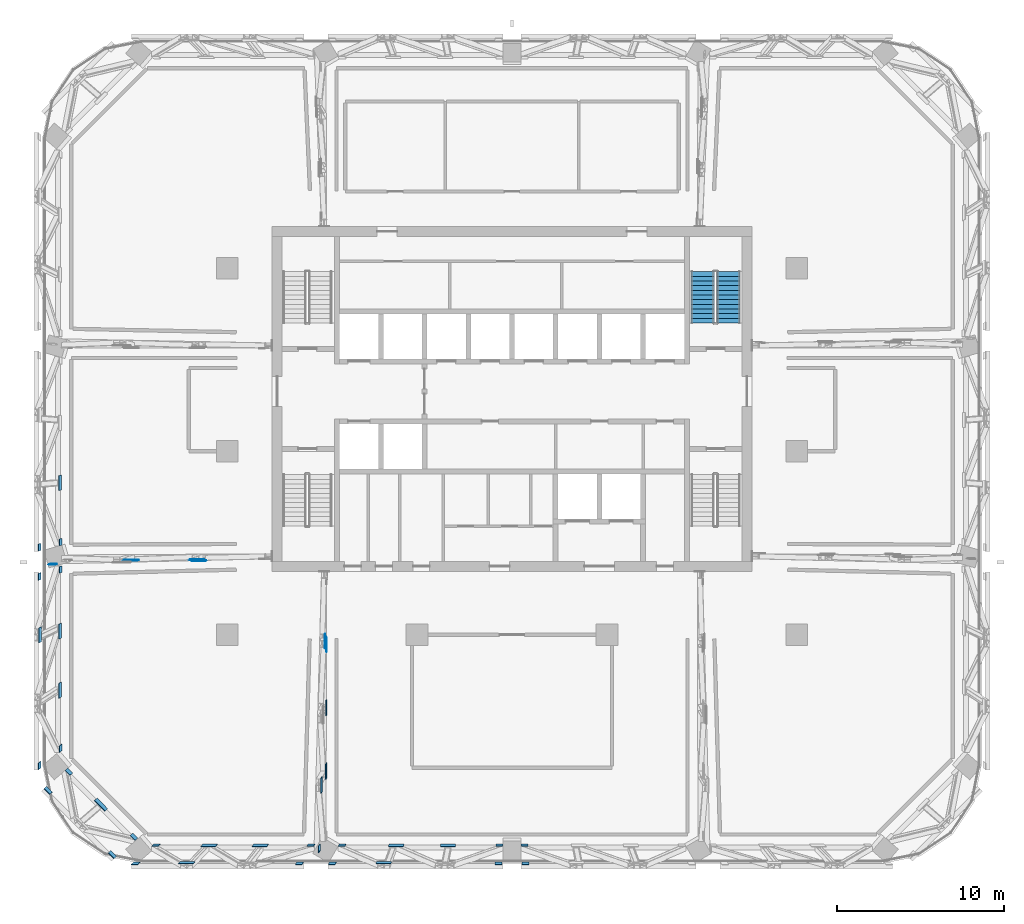
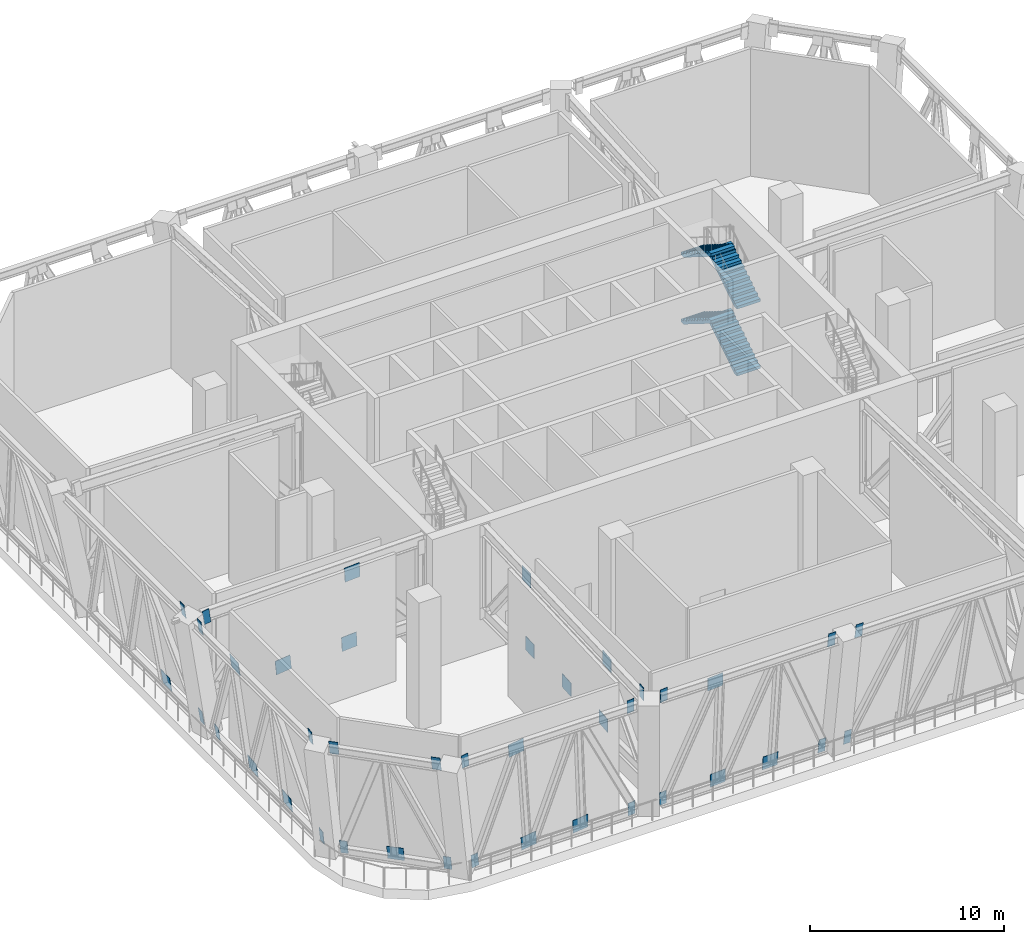
# One storey, part 9 of 24: 41 discrete accessories, 4 stair flights, 1 element without a shape of its own.
"""IFC4 building model written with IfcOpenShell, lengths in metres."""

from ifc_helpers import new_model, si_unit, direction, frame, origin, origin_2d, place, context, subcontext, project, spatial, polyline, rectangle, outline, extrude, material, layer, layer_set, type_object, element, aggregate, save


model = new_model("IFC4")

# Units and contexts
model_context = context("Model", 3, precision=1e-05, world=origin(), true_north=direction((0.0, 1.0)))
body_context = subcontext(model_context, "Body", "Model", "MODEL_VIEW")
ifc_project = project(units=[si_unit("LENGTHUNIT", "METRE"), si_unit("AREAUNIT", "SQUARE_METRE"), si_unit("VOLUMEUNIT", "CUBIC_METRE"), si_unit("PLANEANGLEUNIT", "RADIAN"), si_unit("MASSUNIT", "GRAM", prefix="KILO")], contexts=[model_context])

# Site, building, storey
site_placement = place(None, origin())
site = spatial("IfcSite", under=ifc_project, at=site_placement, CompositionType="ELEMENT")
building_placement = place(site_placement, origin())
building = spatial("IfcBuilding", under=site, at=building_placement, Name="Mopane Tessera Tower", CompositionType="ELEMENT")
storey_placement = place(building_placement, frame((0.0, 0.0, 259.0)))
storey = spatial("IfcBuildingStorey", under=building, at=storey_placement, Name="L56", CompositionType="ELEMENT", Elevation=259.0)

# Stair, stair flights
ifc_material_1 = material(Name="Concrete C50/60", Category="concrete")
stair_type = type_object("IfcStairType", Name="Escape stair 1400 mm, riser 175 mm", PredefinedType="HALF_TURN_STAIR", material=ifc_material_1)
stair_placement = place(storey_placement, origin())
stair = element("IfcStair", 1, at=stair_placement, inside=storey, type_object=stair_type, Name="L56 Escape stair north-east", PredefinedType="HALF_TURN_STAIR")
ifc_material_2 = material(Name="Concrete C50/60", Category="concrete")
stair_flight_type = type_object("IfcStairFlightType", Name="Escape stair flight 1400 mm", PredefinedType="STRAIGHT", material=ifc_material_2)
stair_flight_1_placement = place(storey_placement, frame((13.0, 7.699951171875, 0.0), z_axis=(0.0, 0.0, 1.0), x_axis=(0.0, 1.0, 0.0)))
stair_flight_1 = element("IfcStairFlight", 2, at=stair_flight_1_placement, type_object=stair_flight_type, Name="ST4 flight 1", NumberOfRisers=12, NumberOfTreads=11, PredefinedType="STRAIGHT", RiserHeight=0.175, TreadLength=0.28, context=body_context, shape_type="SweptSolid", body=[
    extrude(outline(polyline([(0.0, 0.0), (0.0, 0.175048828125), (0.280029296875, 0.175048828125), (0.280029296875, 0.35009765625), (0.56005859375, 0.35009765625), (0.56005859375, 0.52490234375), (0.840087890625, 0.52490234375), (0.840087890625, 0.699951171875), (1.1201171875, 0.699951171875), (1.1201171875, 0.875), (1.39990234375, 0.875), (1.39990234375, 1.050048828125), (1.679931640625, 1.050048828125), (1.679931640625, 1.22509765625), (1.9599609375, 1.22509765625), (1.9599609375, 1.39990234375), (2.239990234375, 1.39990234375), (2.239990234375, 1.574951171875), (2.52001953125, 1.574951171875), (2.52001953125, 1.75), (2.800048828125, 1.75), (2.800048828125, 1.925048828125), (3.080078125, 1.925048828125), (3.080078125, 2.10009765625), (3.080078125, 1.748291015625), (0.28271484375, 0.0), (0.0, 0.0)])), frame((0.0, 0.699951171875, 0.0), z_axis=(0.0, -1.0, 0.0), x_axis=(1.0, 0.0, 0.0)), (0.0, 0.0, 1.0), 1.39990234375),
])
stair_flight_2_placement = place(storey_placement, frame((11.449951171875, 10.780029296875, 2.10009765625), z_axis=(0.0, 0.0, 1.0), x_axis=(0.0, -1.0, 0.0)))
stair_flight_2 = element("IfcStairFlight", 3, at=stair_flight_2_placement, type_object=stair_flight_type, Name="ST4 flight 2", NumberOfRisers=12, NumberOfTreads=11, PredefinedType="STRAIGHT", RiserHeight=0.175, TreadLength=0.28, context=body_context, shape_type="SweptSolid", body=[
    extrude(outline(polyline([(0.0, 0.0), (0.0, 0.175048828125), (0.280029296875, 0.175048828125), (0.280029296875, 0.35009765625), (0.56005859375, 0.35009765625), (0.56005859375, 0.52490234375), (0.840087890625, 0.52490234375), (0.840087890625, 0.699951171875), (1.1201171875, 0.699951171875), (1.1201171875, 0.875), (1.39990234375, 0.875), (1.39990234375, 1.050048828125), (1.679931640625, 1.050048828125), (1.679931640625, 1.22509765625), (1.9599609375, 1.22509765625), (1.9599609375, 1.39990234375), (2.239990234375, 1.39990234375), (2.239990234375, 1.574951171875), (2.52001953125, 1.574951171875), (2.52001953125, 1.75), (2.800048828125, 1.75), (2.800048828125, 1.925048828125), (3.080078125, 1.925048828125), (3.080078125, 2.10009765625), (3.080078125, 1.748291015625), (0.28271484375, 0.0), (0.0, 0.0)])), frame((0.0, 0.699951171875, 0.0), z_axis=(0.0, -1.0, 0.0), x_axis=(1.0, 0.0, 0.0)), (0.0, 0.0, 1.0), 1.39990234375),
])
stair_flight_3_placement = place(storey_placement, frame((13.0, 7.699951171875, 4.199951171875), z_axis=(0.0, 0.0, 1.0), x_axis=(0.0, 1.0, 0.0)))
stair_flight_3 = element("IfcStairFlight", 4, at=stair_flight_3_placement, type_object=stair_flight_type, Name="ST4 flight 3", NumberOfRisers=12, NumberOfTreads=11, PredefinedType="STRAIGHT", RiserHeight=0.175, TreadLength=0.28, context=body_context, shape_type="SweptSolid", body=[
    extrude(outline(polyline([(0.0, 0.0), (0.0, 0.175048828125), (0.280029296875, 0.175048828125), (0.280029296875, 0.35009765625), (0.56005859375, 0.35009765625), (0.56005859375, 0.52490234375), (0.840087890625, 0.52490234375), (0.840087890625, 0.699951171875), (1.1201171875, 0.699951171875), (1.1201171875, 0.875), (1.39990234375, 0.875), (1.39990234375, 1.050048828125), (1.679931640625, 1.050048828125), (1.679931640625, 1.22509765625), (1.9599609375, 1.22509765625), (1.9599609375, 1.39990234375), (2.239990234375, 1.39990234375), (2.239990234375, 1.574951171875), (2.52001953125, 1.574951171875), (2.52001953125, 1.75), (2.800048828125, 1.75), (2.800048828125, 1.925048828125), (3.080078125, 1.925048828125), (3.080078125, 2.10009765625), (3.080078125, 1.748291015625), (0.28271484375, 0.0), (0.0, 0.0)])), frame((0.0, 0.699951171875, 0.0), z_axis=(0.0, -1.0, 0.0), x_axis=(1.0, 0.0, 0.0)), (0.0, 0.0, 1.0), 1.39990234375),
])
stair_flight_4_placement = place(storey_placement, frame((11.449951171875, 10.780029296875, 6.300048828125), z_axis=(0.0, 0.0, 1.0), x_axis=(0.0, -1.0, 0.0)))
stair_flight_4 = element("IfcStairFlight", 5, at=stair_flight_4_placement, type_object=stair_flight_type, Name="ST4 flight 4", NumberOfRisers=12, NumberOfTreads=11, PredefinedType="STRAIGHT", RiserHeight=0.175, TreadLength=0.28, context=body_context, shape_type="SweptSolid", body=[
    extrude(outline(polyline([(0.0, 0.0), (0.0, 0.175048828125), (0.280029296875, 0.175048828125), (0.280029296875, 0.35009765625), (0.56005859375, 0.35009765625), (0.56005859375, 0.52490234375), (0.840087890625, 0.52490234375), (0.840087890625, 0.699951171875), (1.1201171875, 0.699951171875), (1.1201171875, 0.875), (1.39990234375, 0.875), (1.39990234375, 1.050048828125), (1.679931640625, 1.050048828125), (1.679931640625, 1.22509765625), (1.9599609375, 1.22509765625), (1.9599609375, 1.39990234375), (2.239990234375, 1.39990234375), (2.239990234375, 1.574951171875), (2.52001953125, 1.574951171875), (2.52001953125, 1.75), (2.800048828125, 1.75), (2.800048828125, 1.925048828125), (3.080078125, 1.925048828125), (3.080078125, 2.10009765625), (3.080078125, 1.748291015625), (0.28271484375, 0.0), (0.0, 0.0)])), frame((0.0, 0.699951171875, 0.0), z_axis=(0.0, -1.0, 0.0), x_axis=(1.0, 0.0, 0.0)), (0.0, 0.0, 1.0), 1.39990234375),
])
aggregate(stair, [stair_flight_1, stair_flight_2, stair_flight_3, stair_flight_4])

# Discrete accessories
ifc_material_3 = material(Name="Structural steel S460", Category="steel")
ifc_layer = layer(ifc_material_3, 0.030029296875)
ifc_layer_set = layer_set([ifc_layer], Name="Structural steel S460")
discrete_accessory_type = type_object("IfcDiscreteAccessoryType", Name="Truss node plate 30 mm", PredefinedType="BRACKET", material=ifc_layer_set)
discrete_accessory_1_placement = place(storey_placement, frame((-18.7685546875, -6.556396484375, 6.77197265625), z_axis=(-0.053903128834, -0.015439589666, 0.998426798405), x_axis=(0.005345903873, -0.999870587746, -0.015173301311)))
element("IfcDiscreteAccessory", 6, at=discrete_accessory_1_placement, inside=storey, type_object=discrete_accessory_type, Name="Truss node plate s ot L56 W2 2", PredefinedType="BRACKET", context=body_context, shape_type="SweptSolid", body=[
    extrude(rectangle(XDim=0.030029296875, YDim=0.89990234375, at=origin_2d()), origin(), (0.0, 0.0, 1.0), 0.9013671875),
])
discrete_accessory_2_placement = place(storey_placement, frame((-18.904296875, -6.490966796875, 2.427978515625), z_axis=(-0.058745219946, -0.017055063855, 0.998127308478), x_axis=(0.009091488383, -0.999821722938, -0.01654893289)))
element("IfcDiscreteAccessory", 7, at=discrete_accessory_2_placement, inside=storey, type_object=discrete_accessory_type, Name="Truss node plate s ot L56 W2 3", PredefinedType="BRACKET", context=body_context, shape_type="SweptSolid", body=[
    extrude(rectangle(XDim=0.030029296875, YDim=0.89990234375, at=origin_2d()), origin(), (0.0, 0.0, 1.0), 0.90185546875),
])
discrete_accessory_3_placement = place(storey_placement, frame((-22.817138671875, -6.510009765625, 2.365966796875), z_axis=(-0.109401533932, -0.031257581123, 0.993506048293), x_axis=(0.007237495028, -0.999503995934, -0.030649319378)))
element("IfcDiscreteAccessory", 8, at=discrete_accessory_3_placement, inside=storey, type_object=discrete_accessory_type, Name="Truss node plate s ot L56 W2 5", PredefinedType="BRACKET", context=body_context, shape_type="SweptSolid", body=[
    extrude(rectangle(XDim=0.030029296875, YDim=0.89990234375, at=origin_2d()), origin(), (0.0, 0.0, 1.0), 0.906005859375),
])
discrete_accessory_4_placement = place(storey_placement, frame((-27.49267578125, -6.753173828125, 7.19189453125), z_axis=(-0.158891103966, -0.045473884973, 0.986248317041), x_axis=(0.011431111856, -0.99895649554, -0.044218205533)))
element("IfcDiscreteAccessory", 9, at=discrete_accessory_4_placement, inside=storey, type_object=discrete_accessory_type, Name="Truss node plate s ot L56 W2 8", PredefinedType="BRACKET", context=body_context, shape_type="SweptSolid", body=[
    extrude(rectangle(XDim=0.030029296875, YDim=0.39599609375, at=origin_2d()), origin(), (0.0, 0.0, 1.0), 0.91259765625),
])
discrete_accessory_5_placement = place(storey_placement, frame((-11.209716796875, -11.354248046875, 6.7744140625), z_axis=(-0.020330414147, -0.035239384522, 0.9991720873), x_axis=(0.999793239196, -0.000325439074, 0.020331575111)))
element("IfcDiscreteAccessory", 10, at=discrete_accessory_5_placement, inside=storey, type_object=discrete_accessory_type, Name="Truss node plate s ot L56 S1 2", PredefinedType="BRACKET", context=body_context, shape_type="SweptSolid", body=[
    extrude(rectangle(XDim=0.030029296875, YDim=0.89990234375, at=origin_2d()), origin(), (0.0, 0.0, 1.0), 0.900634765625),
])
discrete_accessory_6_placement = place(storey_placement, frame((-11.12158203125, -11.57568359375, 2.42578125), z_axis=(-0.022224357258, -0.03848608208, 0.999011961605), x_axis=(0.99975300835, -0.000871032846, 0.022207287038)))
element("IfcDiscreteAccessory", 11, at=discrete_accessory_6_placement, inside=storey, type_object=discrete_accessory_type, Name="Truss node plate s ot L56 S1 3", PredefinedType="BRACKET", context=body_context, shape_type="SweptSolid", body=[
    extrude(rectangle(XDim=0.030029296875, YDim=0.89990234375, at=origin_2d()), origin(), (0.0, 0.0, 1.0), 0.90087890625),
])
discrete_accessory_7_placement = place(storey_placement, frame((-11.12548828125, -15.357666015625, 2.365966796875), z_axis=(-0.041355771127, -0.071358977631, 0.996592994409), x_axis=(0.999143235926, -0.004530278992, 0.041137217641)))
element("IfcDiscreteAccessory", 12, at=discrete_accessory_7_placement, inside=storey, type_object=discrete_accessory_type, Name="Truss node plate s ot L56 S1 5", PredefinedType="BRACKET", context=body_context, shape_type="SweptSolid", body=[
    extrude(rectangle(XDim=0.030029296875, YDim=0.89990234375, at=origin_2d()), origin(), (0.0, 0.0, 1.0), 0.9033203125),
])
discrete_accessory_8_placement = place(storey_placement, frame((-11.13427734375, -19.148193359375, 2.42578125), z_axis=(-0.060328198947, -0.104227736574, 0.992722059461), x_axis=(0.998178063766, -0.007325836499, 0.059890609755)))
element("IfcDiscreteAccessory", 13, at=discrete_accessory_8_placement, inside=storey, type_object=discrete_accessory_type, Name="Truss node plate s ot L56 S1 7", PredefinedType="BRACKET", context=body_context, shape_type="SweptSolid", body=[
    extrude(rectangle(XDim=0.030029296875, YDim=0.89990234375, at=origin_2d()), origin(), (0.0, 0.0, 1.0), 0.906494140625),
])
discrete_accessory_9_placement = place(storey_placement, frame((-11.407958984375, -19.990478515625, 6.770751953125), z_axis=(-0.062451350299, -0.107674741895, 0.992222746566), x_axis=(0.998046209014, -0.008625852155, 0.061881817588)))
element("IfcDiscreteAccessory", 14, at=discrete_accessory_9_placement, inside=storey, type_object=discrete_accessory_type, Name="Truss node plate s ot L56 S1 8", PredefinedType="BRACKET", context=body_context, shape_type="SweptSolid", body=[
    extrude(rectangle(XDim=0.030029296875, YDim=0.89990234375, at=origin_2d()), origin(), (0.0, 0.0, 1.0), 0.906982421875),
])
discrete_accessory_10_placement = place(storey_placement, frame((-11.527587890625, -23.77197265625, 7.19189453125), z_axis=(-0.080055266263, -0.138155576562, 0.987169788339), x_axis=(0.99678930426, -0.01258176103, 0.079074535742)))
element("IfcDiscreteAccessory", 15, at=discrete_accessory_10_placement, inside=storey, type_object=discrete_accessory_type, Name="Truss node plate s ot L56 S1 10", PredefinedType="BRACKET", context=body_context, shape_type="SweptSolid", body=[
    extrude(rectangle(XDim=0.030029296875, YDim=0.39794921875, at=origin_2d()), origin(), (0.0, 0.0, 1.0), 0.911865234375),
])
discrete_accessory_11_placement = place(storey_placement, frame((-21.29345703125, -23.576171875, -0.0390625), z_axis=(-0.161793614852, -0.145375932166, 0.976057715783), x_axis=(-0.023752512285, 0.989376489465, 0.143422384078)))
element("IfcDiscreteAccessory", 16, at=discrete_accessory_11_placement, inside=storey, type_object=discrete_accessory_type, Name="Truss node plate s bt L56 S0-S1 0", PredefinedType="BRACKET", context=body_context, shape_type="SweptSolid", body=[
    extrude(rectangle(XDim=0.030029296875, YDim=0.411376953125, at=origin_2d()), origin(), (0.0, 0.0, 1.0), 0.921875),
])
discrete_accessory_12_placement = place(storey_placement, frame((-22.505615234375, -24.66650390625, 7.2880859375), z_axis=(-0.161535728705, -0.145382155834, 0.976099501648), x_axis=(-0.024504563502, 0.989375275434, 0.143304189495)))
element("IfcDiscreteAccessory", 17, at=discrete_accessory_12_placement, inside=storey, type_object=discrete_accessory_type, Name="Truss node plate s bt L56 S0-S1 1", PredefinedType="BRACKET", context=body_context, shape_type="SweptSolid", body=[
    extrude(rectangle(XDim=0.030029296875, YDim=0.414306640625, at=origin_2d()), origin(), (0.0, 0.0, 1.0), 0.921875),
])
discrete_accessory_13_placement = place(storey_placement, frame((-19.462158203125, -24.625, 7.008056640625), z_axis=(-0.140510154507, -0.145556833024, 0.979321247008), x_axis=(-0.020170533207, 0.989349764632, 0.144153365596)))
element("IfcDiscreteAccessory", 18, at=discrete_accessory_13_placement, inside=storey, type_object=discrete_accessory_type, Name="Truss node plate s bt L56 S0-S1 2", PredefinedType="BRACKET", context=body_context, shape_type="SweptSolid", body=[
    extrude(rectangle(XDim=0.030029296875, YDim=0.89990234375, at=origin_2d()), origin(), (0.0, 0.0, 1.0), 0.919189453125),
])
discrete_accessory_14_placement = place(storey_placement, frame((-18.116943359375, -23.59521484375, 0.08935546875), z_axis=(-0.137899658981, -0.145870737534, 0.979645554261), x_axis=(-0.020626432671, 0.98930361467, 0.14440536097)))
element("IfcDiscreteAccessory", 19, at=discrete_accessory_14_placement, inside=storey, type_object=discrete_accessory_type, Name="Truss node plate s bt L56 S0-S1 3", PredefinedType="BRACKET", context=body_context, shape_type="SweptSolid", body=[
    extrude(rectangle(XDim=0.030029296875, YDim=0.89990234375, at=origin_2d()), origin(), (0.0, 0.0, 1.0), 0.9189453125),
])
discrete_accessory_15_placement = place(storey_placement, frame((-15.060546875, -23.593017578125, 0.073974609375), z_axis=(-0.114857272976, -0.146303115693, 0.982549339821), x_axis=(-0.017810317666, 0.989239468241, 0.145217309778)))
element("IfcDiscreteAccessory", 20, at=discrete_accessory_15_placement, inside=storey, type_object=discrete_accessory_type, Name="Truss node plate s bt L56 S0-S1 5", PredefinedType="BRACKET", context=body_context, shape_type="SweptSolid", body=[
    extrude(rectangle(XDim=0.030029296875, YDim=0.89990234375, at=origin_2d()), origin(), (0.0, 0.0, 1.0), 0.916015625),
])
discrete_accessory_16_placement = place(storey_placement, frame((-12.029052734375, -23.576171875, -0.0390625), z_axis=(-0.092182013426, -0.146689638756, 0.984877975326), x_axis=(-0.013810784404, 0.989182556621, 0.146038118005)))
element("IfcDiscreteAccessory", 21, at=discrete_accessory_16_placement, inside=storey, type_object=discrete_accessory_type, Name="Truss node plate s bt L56 S0-S1 7", PredefinedType="BRACKET", context=body_context, shape_type="SweptSolid", body=[
    extrude(rectangle(XDim=0.030029296875, YDim=0.411376953125, at=origin_2d()), origin(), (0.0, 0.0, 1.0), 0.913818359375),
])
discrete_accessory_17_placement = place(storey_placement, frame((-12.714111328125, -24.66650390625, 7.2880859375), z_axis=(-0.092182013426, -0.146689638756, 0.984877975326), x_axis=(-0.013796013691, 0.989182558587, 0.146039500798)))
element("IfcDiscreteAccessory", 22, at=discrete_accessory_17_placement, inside=storey, type_object=discrete_accessory_type, Name="Truss node plate s bt L56 S0-S1 8", PredefinedType="BRACKET", context=body_context, shape_type="SweptSolid", body=[
    extrude(rectangle(XDim=0.030029296875, YDim=0.41064453125, at=origin_2d()), origin(), (0.0, 0.0, 1.0), 0.913818359375),
])
discrete_accessory_18_placement = place(storey_placement, frame((-10.164794921875, -23.576171875, -0.03857421875), z_axis=(-0.077828491184, -0.146831070997, 0.986095006858), x_axis=(-0.012428709749, 0.989161200879, 0.146306684227)))
element("IfcDiscreteAccessory", 23, at=discrete_accessory_18_placement, inside=storey, type_object=discrete_accessory_type, Name="Truss node plate s bt L56 S1-S2 0", PredefinedType="BRACKET", context=body_context, shape_type="SweptSolid", body=[
    extrude(rectangle(XDim=0.030029296875, YDim=0.41064453125, at=origin_2d()), origin(), (0.0, 0.0, 1.0), 0.912841796875),
])
discrete_accessory_19_placement = place(storey_placement, frame((-10.743896484375, -24.66650390625, 7.2880859375), z_axis=(-0.077849022459, -0.146869805258, 0.986087617814), x_axis=(-0.012433026507, 0.989155452002, 0.146345179717)))
element("IfcDiscreteAccessory", 24, at=discrete_accessory_19_placement, inside=storey, type_object=discrete_accessory_type, Name="Truss node plate s bt L56 S1-S2 1", PredefinedType="BRACKET", context=body_context, shape_type="SweptSolid", body=[
    extrude(rectangle(XDim=0.030029296875, YDim=0.41064453125, at=origin_2d()), origin(), (0.0, 0.0, 1.0), 0.91259765625),
])
for number, where, z_axis, x_axis, name in (
    (25, (-7.672607421875, -24.624755859375, 7.007568359375), (-0.05572731523, -0.147087961833, 0.987552326624), (-0.009381778616, 0.989122821, 0.146792463043), "Truss node plate s bt L56 S1-S2 2"),
    (26, (-6.9296875, -23.595458984375, 0.090087890625), (-0.05332514795, -0.146845131038, 0.987721082131), (-0.006697715269, 0.989158758849, 0.146697274691), "Truss node plate s bt L56 S1-S2 3"),
):
    element("IfcDiscreteAccessory", number, at=place(storey_placement, frame(where, z_axis=z_axis, x_axis=x_axis)), inside=storey, type_object=discrete_accessory_type, Name=name, PredefinedType="BRACKET", context=body_context, shape_type="SweptSolid", body=[
        extrude(rectangle(XDim=0.030029296875, YDim=0.89990234375, at=origin_2d()), origin(), (0.0, 0.0, 1.0), 0.9111328125),
    ])
discrete_accessory_20_placement = place(storey_placement, frame((-3.826904296875, -23.593017578125, 0.073974609375), z_axis=(-0.029496373184, -0.147213717072, 0.988664799351), x_axis=(-0.003850804856, 0.989104563085, 0.147164311527)))
element("IfcDiscreteAccessory", 27, at=discrete_accessory_20_placement, inside=storey, type_object=discrete_accessory_type, Name="Truss node plate s bt L56 S1-S2 5", PredefinedType="BRACKET", context=body_context, shape_type="SweptSolid", body=[
    extrude(rectangle(XDim=0.030029296875, YDim=0.89990234375, at=origin_2d()), origin(), (0.0, 0.0, 1.0), 0.910400390625),
])
discrete_accessory_21_placement = place(storey_placement, frame((-0.758056640625, -23.576171875, -0.03857421875), z_axis=(-0.00590173982, -0.147275234605, 0.989077941691), x_axis=(-0.000415580472, 0.989095443009, 0.147275360847)))
element("IfcDiscreteAccessory", 28, at=discrete_accessory_21_placement, inside=storey, type_object=discrete_accessory_type, Name="Truss node plate s bt L56 S1-S2 7", PredefinedType="BRACKET", context=body_context, shape_type="SweptSolid", body=[
    extrude(rectangle(XDim=0.030029296875, YDim=0.41064453125, at=origin_2d()), origin(), (0.0, 0.0, 1.0), 0.91015625),
])
discrete_accessory_22_placement = place(storey_placement, frame((-0.811279296875, -24.66650390625, 7.2880859375), z_axis=(-0.005903306145, -0.147314321537, 0.989072111449), x_axis=(-0.000917377596, 0.989089727601, 0.147311469926)))
element("IfcDiscreteAccessory", 29, at=discrete_accessory_22_placement, inside=storey, type_object=discrete_accessory_type, Name="Truss node plate s bt L56 S1-S2 8", PredefinedType="BRACKET", context=body_context, shape_type="SweptSolid", body=[
    extrude(rectangle(XDim=0.030029296875, YDim=0.4296875, at=origin_2d()), origin(), (0.0, 0.0, 1.0), 0.909912109375),
])
discrete_accessory_23_placement = place(storey_placement, frame((0.758056640625, -23.576171875, -0.03857421875), z_axis=(0.00590173982, -0.147275234605, 0.989077941691), x_axis=(0.000415580472, 0.989095443009, 0.147275360847)))
element("IfcDiscreteAccessory", 30, at=discrete_accessory_23_placement, inside=storey, type_object=discrete_accessory_type, Name="Truss node plate s bt L56 S2-S3 0", PredefinedType="BRACKET", context=body_context, shape_type="SweptSolid", body=[
    extrude(rectangle(XDim=0.030029296875, YDim=0.41064453125, at=origin_2d()), origin(), (0.0, 0.0, 1.0), 0.91015625),
])
discrete_accessory_24_placement = place(storey_placement, frame((0.811279296875, -24.66650390625, 7.2880859375), z_axis=(0.005903306145, -0.147314321537, 0.989072111449), x_axis=(0.000917377596, 0.989089727601, 0.147311469926)))
element("IfcDiscreteAccessory", 31, at=discrete_accessory_24_placement, inside=storey, type_object=discrete_accessory_type, Name="Truss node plate s bt L56 S2-S3 1", PredefinedType="BRACKET", context=body_context, shape_type="SweptSolid", body=[
    extrude(rectangle(XDim=0.030029296875, YDim=0.4296875, at=origin_2d()), origin(), (0.0, 0.0, 1.0), 0.909912109375),
])
discrete_accessory_25_placement = place(storey_placement, frame((-27.044677734375, -1.879638671875, 0.073974609375), z_axis=(-0.17022861401, -0.014697918007, 0.985294976227), x_axis=(0.985404595621, -0.002583316382, 0.170209016818)))
element("IfcDiscreteAccessory", 32, at=discrete_accessory_25_placement, inside=storey, type_object=discrete_accessory_type, Name="Truss node plate s bt L56 W1-W2 5", PredefinedType="BRACKET", context=body_context, shape_type="SweptSolid", body=[
    extrude(rectangle(XDim=0.030029296875, YDim=0.89990234375, at=origin_2d()), origin(), (0.0, 0.0, 1.0), 0.91357421875),
])
discrete_accessory_26_placement = place(storey_placement, frame((-27.0263671875, -5.427978515625, -0.032470703125), z_axis=(-0.169836098906, -0.042191986835, 0.984568705452), x_axis=(0.985471612564, -0.008471055725, 0.169628836123)))
element("IfcDiscreteAccessory", 33, at=discrete_accessory_26_placement, inside=storey, type_object=discrete_accessory_type, Name="Truss node plate s bt L56 W1-W2 7", PredefinedType="BRACKET", context=body_context, shape_type="SweptSolid", body=[
    extrude(rectangle(XDim=0.030029296875, YDim=0.403564453125, at=origin_2d()), origin(), (0.0, 0.0, 1.0), 0.914306640625),
])
discrete_accessory_27_placement = place(storey_placement, frame((-28.2900390625, -5.734130859375, 7.2880859375), z_axis=(-0.169880763287, -0.042203082703, 0.984560524333), x_axis=(0.985464300843, -0.008085043526, 0.169690140656)))
element("IfcDiscreteAccessory", 34, at=discrete_accessory_27_placement, inside=storey, type_object=discrete_accessory_type, Name="Truss node plate s bt L56 W1-W2 8", PredefinedType="BRACKET", context=body_context, shape_type="SweptSolid", body=[
    extrude(rectangle(XDim=0.030029296875, YDim=0.421142578125, at=origin_2d()), origin(), (0.0, 0.0, 1.0), 0.9140625),
])
discrete_accessory_28_placement = place(storey_placement, frame((-27.0263671875, -7.0693359375, -0.032958984375), z_axis=(-0.169772479873, -0.055256137317, 0.983932957252), x_axis=(0.985483249125, -0.009249633359, 0.169520529663)))
element("IfcDiscreteAccessory", 35, at=discrete_accessory_28_placement, inside=storey, type_object=discrete_accessory_type, Name="Truss node plate s bt L56 W2-W3 0", PredefinedType="BRACKET", context=body_context, shape_type="SweptSolid", body=[
    extrude(rectangle(XDim=0.030029296875, YDim=0.404296875, at=origin_2d()), origin(), (0.0, 0.0, 1.0), 0.91455078125),
])
discrete_accessory_29_placement = place(storey_placement, frame((-28.2900390625, -7.4892578125, 7.2880859375), z_axis=(-0.169772479873, -0.055256137317, 0.983932957252), x_axis=(0.985483281372, -0.009605207843, 0.16950056672)))
element("IfcDiscreteAccessory", 36, at=discrete_accessory_29_placement, inside=storey, type_object=discrete_accessory_type, Name="Truss node plate s bt L56 W2-W3 1", PredefinedType="BRACKET", context=body_context, shape_type="SweptSolid", body=[
    extrude(rectangle(XDim=0.030029296875, YDim=0.421142578125, at=origin_2d()), origin(), (0.0, 0.0, 1.0), 0.91455078125),
])
for number, where, z_axis, x_axis, name in (
    (37, (-28.240478515625, -10.973876953125, 7.001953125), (-0.169687848053, -0.080981327799, 0.982164985515), (0.985497655568, -0.014587410262, 0.169060871678), "Truss node plate s bt L56 W2-W3 2"),
    (38, (-27.048583984375, -10.7490234375, 0.095703125), (-0.169432505758, -0.083917042946, 0.981962604123), (0.985541158588, -0.013296209869, 0.168913692554), "Truss node plate s bt L56 W2-W3 3"),
):
    element("IfcDiscreteAccessory", number, at=place(storey_placement, frame(where, z_axis=z_axis, x_axis=x_axis)), inside=storey, type_object=discrete_accessory_type, Name=name, PredefinedType="BRACKET", context=body_context, shape_type="SweptSolid", body=[
        extrude(rectangle(XDim=0.030029296875, YDim=0.89990234375, at=origin_2d()), origin(), (0.0, 0.0, 1.0), 0.91650390625),
    ])
discrete_accessory_30_placement = place(storey_placement, frame((-27.044677734375, -14.279541015625, 0.073974609375), z_axis=(-0.169194460656, -0.111025564449, 0.97930922518), x_axis=(0.985582687435, -0.019032823207, 0.168120545646)))
element("IfcDiscreteAccessory", 39, at=discrete_accessory_30_placement, inside=storey, type_object=discrete_accessory_type, Name="Truss node plate s bt L56 W2-W3 5", PredefinedType="BRACKET", context=body_context, shape_type="SweptSolid", body=[
    extrude(rectangle(XDim=0.030029296875, YDim=0.89990234375, at=origin_2d()), origin(), (0.0, 0.0, 1.0), 0.919189453125),
])
discrete_accessory_31_placement = place(storey_placement, frame((-27.0263671875, -17.76318359375, -0.032958984375), z_axis=(-0.168412620808, -0.137695853491, 0.976051761478), x_axis=(0.985716507474, -0.023128923761, 0.166817324579)))
element("IfcDiscreteAccessory", 40, at=discrete_accessory_31_placement, inside=storey, type_object=discrete_accessory_type, Name="Truss node plate s bt L56 W2-W3 7", PredefinedType="BRACKET", context=body_context, shape_type="SweptSolid", body=[
    extrude(rectangle(XDim=0.030029296875, YDim=0.404296875, at=origin_2d()), origin(), (0.0, 0.0, 1.0), 0.921875),
])
discrete_accessory_32_placement = place(storey_placement, frame((-28.2900390625, -18.796142578125, 7.2880859375), z_axis=(-0.168412620808, -0.137695853491, 0.976051761478), x_axis=(0.985716513723, -0.023144909912, 0.166815070421)))
element("IfcDiscreteAccessory", 41, at=discrete_accessory_32_placement, inside=storey, type_object=discrete_accessory_type, Name="Truss node plate s bt L56 W2-W3 8", PredefinedType="BRACKET", context=body_context, shape_type="SweptSolid", body=[
    extrude(rectangle(XDim=0.030029296875, YDim=0.403076171875, at=origin_2d()), origin(), (0.0, 0.0, 1.0), 0.921875),
])
discrete_accessory_33_placement = place(storey_placement, frame((-26.52587890625, -19.1728515625, -0.042724609375), z_axis=(-0.16819295105, -0.144920970402, 0.975043098306), x_axis=(0.687106077615, 0.692009412326, 0.221377982999)))
element("IfcDiscreteAccessory", 42, at=discrete_accessory_33_placement, inside=storey, type_object=discrete_accessory_type, Name="Truss node plate s bt L56 W3-S0 0", PredefinedType="BRACKET", context=body_context, shape_type="SweptSolid", body=[
    extrude(rectangle(XDim=0.030029296875, YDim=0.4150390625, at=origin_2d()), origin(), (0.0, 0.0, 1.0), 0.923095703125),
])
discrete_accessory_34_placement = place(storey_placement, frame((-27.7646484375, -20.2900390625, 7.2880859375), z_axis=(-0.168486883915, -0.145210830878, 0.974949221521), x_axis=(0.686948907614, 0.692033942833, 0.221788683876)))
element("IfcDiscreteAccessory", 43, at=discrete_accessory_34_placement, inside=storey, type_object=discrete_accessory_type, Name="Truss node plate s bt L56 W3-S0 1", PredefinedType="BRACKET", context=body_context, shape_type="SweptSolid", body=[
    extrude(rectangle(XDim=0.030029296875, YDim=0.489990234375, at=origin_2d()), origin(), (0.0, 0.0, 1.0), 0.923095703125),
])
discrete_accessory_35_placement = place(storey_placement, frame((-24.593994140625, -21.142333984375, 0.073974609375), z_axis=(-0.16819295105, -0.144920970402, 0.975043098306), x_axis=(0.687106077615, 0.692009412326, 0.221377982999)))
element("IfcDiscreteAccessory", 44, at=discrete_accessory_35_placement, inside=storey, type_object=discrete_accessory_type, Name="Truss node plate s bt L56 W3-S0 3", PredefinedType="BRACKET", context=body_context, shape_type="SweptSolid", body=[
    extrude(rectangle(XDim=0.030029296875, YDim=0.89990234375, at=origin_2d()), origin(), (0.0, 0.0, 1.0), 0.923095703125),
])
discrete_accessory_36_placement = place(storey_placement, frame((-22.621826171875, -23.076904296875, -0.042724609375), z_axis=(-0.168186499549, -0.145179855743, 0.975005697858), x_axis=(0.686453595515, 0.692604313811, 0.221541701934)))
element("IfcDiscreteAccessory", 45, at=discrete_accessory_36_placement, inside=storey, type_object=discrete_accessory_type, Name="Truss node plate s bt L56 W3-S0 5", PredefinedType="BRACKET", context=body_context, shape_type="SweptSolid", body=[
    extrude(rectangle(XDim=0.030029296875, YDim=0.4150390625, at=origin_2d()), origin(), (0.0, 0.0, 1.0), 0.92333984375),
])
discrete_accessory_37_placement = place(storey_placement, frame((-23.91357421875, -24.141357421875, 7.2880859375), z_axis=(-0.168236331233, -0.144958348295, 0.975030058056), x_axis=(0.687096227056, 0.692000924737, 0.221435080619)))
element("IfcDiscreteAccessory", 46, at=discrete_accessory_37_placement, inside=storey, type_object=discrete_accessory_type, Name="Truss node plate s bt L56 W3-S0 6", PredefinedType="BRACKET", context=body_context, shape_type="SweptSolid", body=[
    extrude(rectangle(XDim=0.030029296875, YDim=0.489990234375, at=origin_2d()), origin(), (0.0, 0.0, 1.0), 0.9228515625),
])

save(model, "model.ifc")
